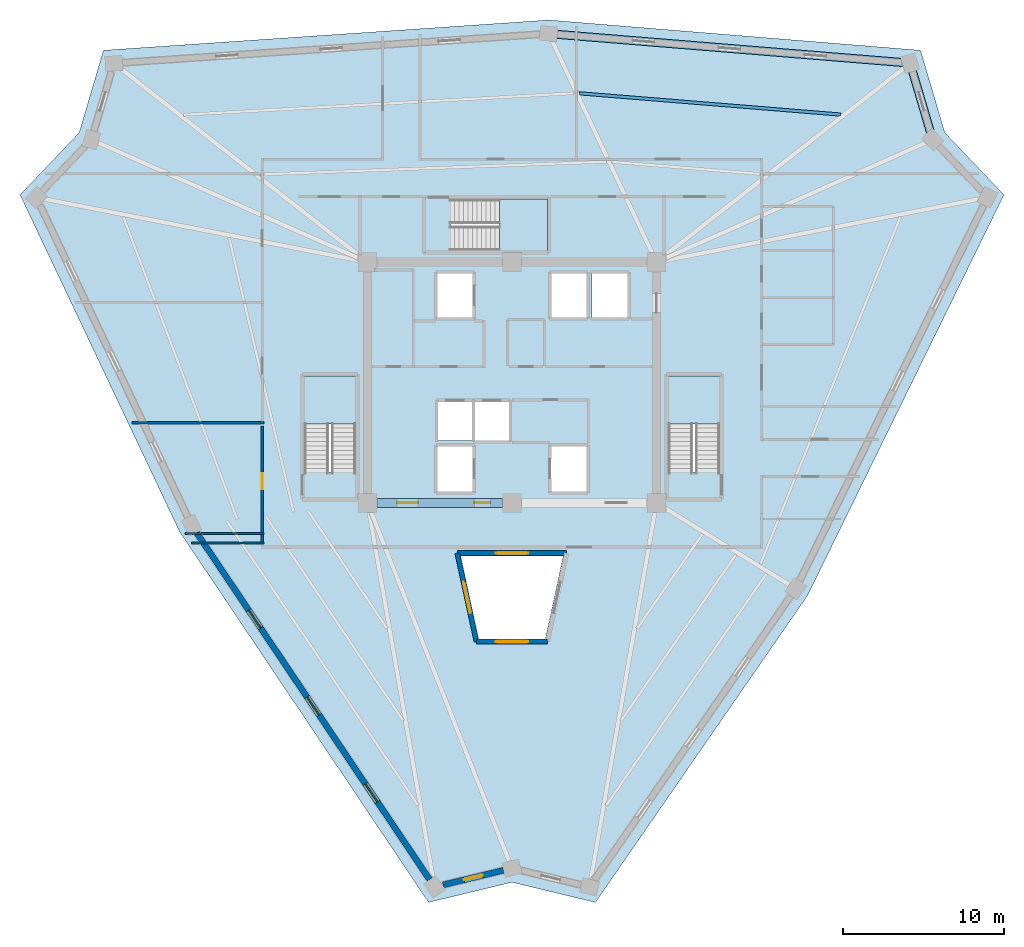
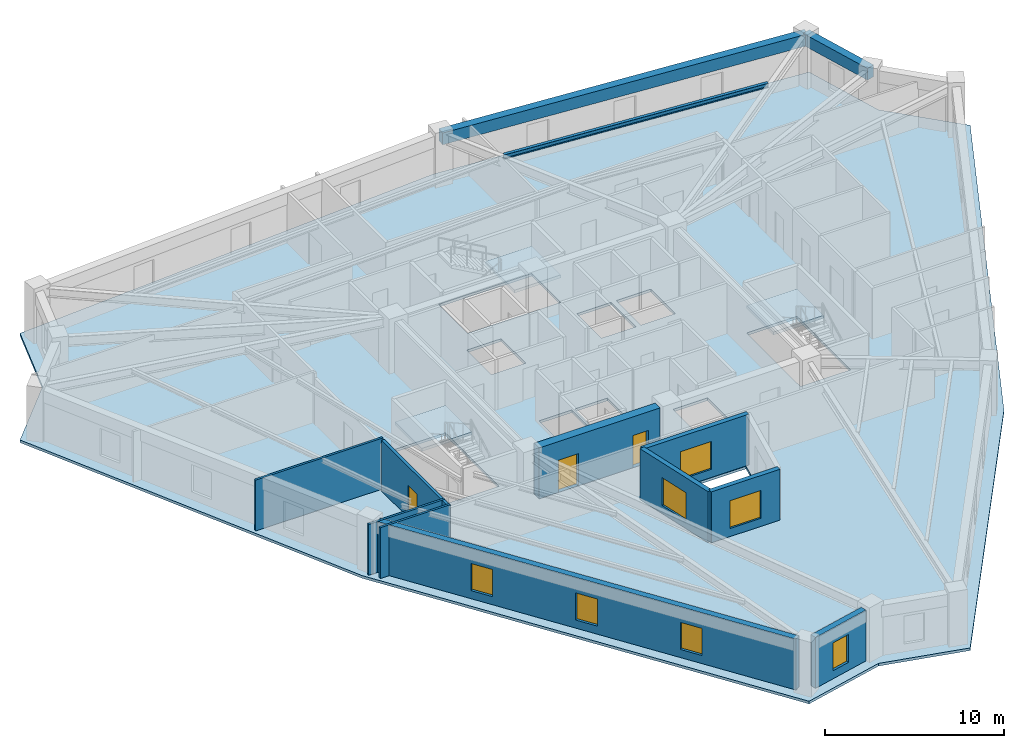
# One storey, part 2 of 8: 10 walls, 7 windows, 4 slabs, 3 beams, 3 doors, 10 openings, 3 elements without a shape of their own.
"""IFC4 building model written with IfcOpenShell, lengths in metres."""

from ifc_helpers import new_model, si_unit, direction, frame, frame_2d, origin, origin_2d, place, context, subcontext, project, spatial, polyline, rectangle, i_section, outline, extrude, source, transform, mapped, material, layer, layer_set, material_profile, profile_set, type_object, element, fill, aggregate, save


model = new_model("IFC4")

# Units and contexts
model_context = context("Model", 3, precision=1e-05, world=origin(), true_north=direction((0.0, 1.0)))
body_context = subcontext(model_context, "Body", "Model", "MODEL_VIEW")
ifc_project = project(units=[si_unit("LENGTHUNIT", "METRE"), si_unit("AREAUNIT", "SQUARE_METRE"), si_unit("VOLUMEUNIT", "CUBIC_METRE"), si_unit("PLANEANGLEUNIT", "RADIAN"), si_unit("MASSUNIT", "GRAM", prefix="KILO")], contexts=[model_context])

# Site, building, storey
site_placement = place(None, origin())
site = spatial("IfcSite", under=ifc_project, at=site_placement, CompositionType="ELEMENT")
building_placement = place(site_placement, origin())
building = spatial("IfcBuilding", under=site, at=building_placement, Name="Liaohun Quay Tower", CompositionType="ELEMENT")
storey_placement = place(building_placement, frame((0.0, 0.0, 320.25)))
storey = spatial("IfcBuildingStorey", under=building, at=storey_placement, Name="L83", CompositionType="ELEMENT", Elevation=320.25)

# Beams
ifc_material_1 = material(Name="Steel Q355D", Category="steel")
ifc_material_profile_1 = material_profile(ifc_material_1, i_section(OverallWidth=0.199951171875, OverallDepth=0.2939453125, WebThickness=0.008056640625, FlangeThickness=0.011962890625, at=origin_2d()), Name="HM294x200x8x12")
ifc_profile_set_1 = profile_set([ifc_material_profile_1], Name="Steel Q355D")
beam_type_1 = type_object("IfcBeamType", Name="BM-SEC-J4", PredefinedType="JOIST", material=ifc_profile_set_1)
shared_shape_1 = source(origin(), body_context, "Body", "SweptSolid", [
    extrude(i_section(OverallWidth=0.199951171875, OverallDepth=0.2939453125, WebThickness=0.008056640625, FlangeThickness=0.011962890625, at=origin_2d()), origin(), (0.0, 0.0, 1.0), 16.3271484375),
])
beam_1_placement = place(storey_placement, frame((64.202880859375, 72.01904296875, 3.322998046875), z_axis=(0.996697002247, -0.081210133061, 0.0), x_axis=(0.081210133061, 0.996697002247, 0.0)))
element("IfcBeam", 1, at=beam_1_placement, inside=storey, type_object=beam_type_1, Name="L83 Wing Secondary Floor Joist SJ-09", PredefinedType="JOIST", context=body_context, shape_type="MappedRepresentation", body=[
    mapped(shared_shape_1, transform((0.0, 0.0, 0.0), x_axis=(1.0, 0.0, 0.0), y_axis=(0.0, 1.0, 0.0), z_axis=(0.0, 0.0, 1.0), scale=1.0)),
])
ifc_material_2 = material(Name="Precast concrete C50", Category="concrete")
ifc_material_profile_2 = material_profile(ifc_material_2, rectangle(XDim=0.5, YDim=0.800048828125, at=origin_2d()), Name="RC500x800")
ifc_profile_set_2 = profile_set([ifc_material_profile_2], Name="Precast concrete C50")
beam_type_2 = type_object("IfcBeamType", Name="BM-SPD-Z4", PredefinedType="SPANDREL", material=ifc_profile_set_2)
shared_shape_2 = source(origin(), body_context, "Body", "SweptSolid", [
    extrude(rectangle(XDim=0.5, YDim=0.800048828125, at=origin_2d()), origin(), (0.0, 0.0, 1.0), 22.5947265625),
])
beam_2_placement = place(storey_placement, frame((62.284912109375, 75.73388671875, 3.070068359375), z_axis=(0.996696835894, -0.081212174699, 0.0), x_axis=(0.081212174699, 0.996696835894, 0.0)))
element("IfcBeam", 2, at=beam_2_placement, inside=storey, type_object=beam_type_2, Name="L83 Precast Spandrel Beam PC06-PC07", PredefinedType="SPANDREL", context=body_context, shape_type="MappedRepresentation", body=[
    mapped(shared_shape_2, transform((0.0, 0.0, 0.0), x_axis=(1.0, 0.0, 0.0), y_axis=(0.0, 1.0, 0.0), z_axis=(0.0, 0.0, 1.0), scale=1.0)),
])
shared_shape_3 = source(origin(), body_context, "Body", "SweptSolid", [
    extrude(rectangle(XDim=0.5, YDim=0.800048828125, at=origin_2d()), origin(), (0.0, 0.0, 1.0), 4.969482421875),
])
beam_3_placement = place(storey_placement, frame((84.804931640625, 73.89892578125, 3.070068359375), z_axis=(0.282724819894, -0.959201061413, 0.0), x_axis=(0.959201061413, 0.282724819894, 0.0)))
element("IfcBeam", 3, at=beam_3_placement, inside=storey, type_object=beam_type_2, Name="L83 Precast Spandrel Beam PC07-PC08", PredefinedType="SPANDREL", context=body_context, shape_type="MappedRepresentation", body=[
    mapped(shared_shape_3, transform((0.0, 0.0, 0.0), x_axis=(1.0, 0.0, 0.0), y_axis=(0.0, 1.0, 0.0), z_axis=(0.0, 0.0, 1.0), scale=1.0)),
])

# Stair, slab
ifc_material_3 = material(Name="Concrete C45", Category="concrete")
stair_type = type_object("IfcStairType", Name="STR-CORE-OFF", PredefinedType="HALF_TURN_STAIR", material=ifc_material_3)
stair_1_placement = place(storey_placement, origin())
stair_1 = element("IfcStair", 4, at=stair_1_placement, inside=storey, type_object=stair_type, Name="L83 Smokeproof Core Exit Stair ST-1", PredefinedType="HALF_TURN_STAIR")
ifc_layer_1 = layer(ifc_material_3, 0.199951171875, Name="Concrete C45", Category="concrete")
ifc_layer_set_1 = layer_set([ifc_layer_1], Name="Concrete C45")
slab_type_1 = type_object("IfcSlabType", Name="SLB-LND-200", PredefinedType="LANDING", material=ifc_layer_set_1)
slab_1_placement = place(storey_placement, frame((0.0, 0.0, 1.675048828125)))
slab_1 = element("IfcSlab", 5, at=slab_1_placement, type_object=slab_type_1, Name="ST-1 landing 1", PredefinedType="LANDING", context=body_context, shape_type="SweptSolid", body=[
    extrude(outline(polyline([(50.280029296875, 51.429931640625), (50.280029296875, 54.419921875), (47.0400390625, 54.419921875), (47.0400390625, 51.429931640625), (50.280029296875, 51.429931640625)])), origin(), (0.0, 0.0, 1.0), 0.199951171875),
])
aggregate(stair_1, [slab_1])

stair_2_placement = place(storey_placement, origin())
stair_2 = element("IfcStair", 6, at=stair_2_placement, inside=storey, type_object=stair_type, Name="L83 Smokeproof Core Exit Stair ST-2", PredefinedType="HALF_TURN_STAIR")
slab_2_placement = place(storey_placement, frame((0.0, 0.0, 1.675048828125)))
slab_2 = element("IfcSlab", 7, at=slab_2_placement, type_object=slab_type_1, Name="ST-2 landing 1", PredefinedType="LANDING", context=body_context, shape_type="SweptSolid", body=[
    extrude(outline(polyline([(72.9599609375, 51.429931640625), (72.9599609375, 54.419921875), (69.719970703125, 54.419921875), (69.719970703125, 51.429931640625), (72.9599609375, 51.429931640625)])), origin(), (0.0, 0.0, 1.0), 0.199951171875),
])
aggregate(stair_2, [slab_2])

stair_3_placement = place(storey_placement, origin())
stair_3 = element("IfcStair", 8, at=stair_3_placement, inside=storey, type_object=stair_type, Name="L83 Smokeproof Core Exit Stair ST-3", PredefinedType="HALF_TURN_STAIR")
slab_3_placement = place(storey_placement, frame((0.0, 0.0, 1.675048828125)))
slab_3 = element("IfcSlab", 9, at=slab_3_placement, type_object=slab_type_1, Name="ST-3 landing 1", PredefinedType="LANDING", context=body_context, shape_type="SweptSolid", body=[
    extrude(outline(polyline([(59.22998046875, 62.199951171875), (62.219970703125, 62.199951171875), (62.219970703125, 65.43994140625), (59.22998046875, 65.43994140625), (59.22998046875, 62.199951171875)])), origin(), (0.0, 0.0, 1.0), 0.199951171875),
])
aggregate(stair_3, [slab_3])

# Slab
ifc_layer_2 = layer(ifc_material_3, 0.179931640625, Name="Concrete C45", Category="concrete")
ifc_layer_set_2 = layer_set([ifc_layer_2], Name="Concrete C45")
slab_type_2 = type_object("IfcSlabType", Name="SLB-OFF-180", PredefinedType="FLOOR", material=ifc_layer_set_2)
slab_4_placement = place(storey_placement, frame((0.0, 0.0, -0.179931640625)))
element("IfcSlab", 10, at=slab_4_placement, inside=storey, type_object=slab_type_2, Name="L83 Structural Floor Slab", PredefinedType="FLOOR", context=body_context, shape_type="SweptSolid", body=[
    extrude(outline(polyline([(54.801025390625, 21.60595703125), (60.0, 22.861083984375), (65.198974609375, 21.60595703125), (78.4150390625, 40.722900390625), (90.654052734375, 65.695068359375), (86.967041015625, 69.569091796875), (85.455078125, 74.698974609375), (62.291015625, 76.5859375), (34.544921875, 74.698974609375), (33.032958984375, 69.569091796875), (29.345947265625, 65.695068359375), (39.2939453125, 44.69091796875), (54.801025390625, 21.60595703125)]), holes=[polyline([(57.56005859375, 50.030029296875), (55.340087890625, 50.030029296875), (55.340087890625, 47.2099609375), (57.56005859375, 47.2099609375), (57.56005859375, 50.030029296875)]), polyline([(47.0400390625, 54.419921875), (47.0400390625, 48.409912109375), (50.280029296875, 48.409912109375), (50.280029296875, 54.419921875), (47.0400390625, 54.419921875)]), polyline([(57.510009765625, 52.81005859375), (55.389892578125, 52.81005859375), (55.389892578125, 50.389892578125), (57.510009765625, 50.389892578125), (57.510009765625, 52.81005859375)]), polyline([(59.81005859375, 50.389892578125), (59.81005859375, 52.81005859375), (57.68994140625, 52.81005859375), (57.68994140625, 50.389892578125), (59.81005859375, 50.389892578125)]), polyline([(57.56005859375, 58.0400390625), (57.56005859375, 60.7900390625), (55.340087890625, 60.7900390625), (55.340087890625, 58.0400390625), (57.56005859375, 58.0400390625)]), polyline([(62.219970703125, 65.43994140625), (56.2099609375, 65.43994140625), (56.2099609375, 62.199951171875), (62.219970703125, 62.199951171875), (62.219970703125, 65.43994140625)]), polyline([(62.076904296875, 38.02490234375), (63.196044921875, 43.199951171875), (56.803955078125, 43.199951171875), (57.923095703125, 38.02490234375), (62.076904296875, 38.02490234375)]), polyline([(64.659912109375, 47.2099609375), (64.659912109375, 50.030029296875), (62.43994140625, 50.030029296875), (62.43994140625, 47.2099609375), (64.659912109375, 47.2099609375)]), polyline([(69.719970703125, 54.419921875), (69.719970703125, 48.409912109375), (72.9599609375, 48.409912109375), (72.9599609375, 54.419921875), (69.719970703125, 54.419921875)]), polyline([(64.659912109375, 58.0400390625), (64.659912109375, 60.7900390625), (62.43994140625, 60.7900390625), (62.43994140625, 58.0400390625), (64.659912109375, 58.0400390625)]), polyline([(67.2099609375, 58.0400390625), (67.2099609375, 60.7900390625), (64.989990234375, 60.7900390625), (64.989990234375, 58.0400390625), (67.2099609375, 58.0400390625)])]), origin(), (0.0, 0.0, 1.0), 0.179931640625),
])

# Wall, opening, window
ifc_material_4 = material(Name="Concrete C50", Category="concrete")
ifc_layer_3 = layer(ifc_material_4, 0.300048828125, Name="Concrete C50", Category="concrete")
ifc_layer_set_3 = layer_set([ifc_layer_3], Name="Concrete C50")
wall_type_1 = type_object("IfcWallType", Name="WAL-ATR-300", PredefinedType="SOLIDWALL", material=ifc_layer_set_3)
wall_1_placement = place(storey_placement, frame((57.785888671875, 37.85498046875, 0.0), z_axis=(0.0, 0.0, 1.0), x_axis=(-0.211402055263, 0.977399187144, 0.0)))
wall_1 = element("IfcWall", 11, at=wall_1_placement, inside=storey, type_object=wall_type_1, Name="L83 Atrium Fire Compartment Wall 1", PredefinedType="SOLIDWALL", context=body_context, shape_type="SweptSolid", body=[
    extrude(rectangle(XDim=5.642578125, YDim=0.300048828125, at=frame_2d((2.8212890625, 0.0))), origin(), (0.0, 0.0, 1.0), 3.469970703125),
])
shared_shape_4 = source(origin(), body_context, "Body", "SweptSolid", [
    extrude(rectangle(XDim=2.0, YDim=1.89990234375, at=frame_2d((1.0, 0.949951171875))), frame((0.0, 0.159912109375, 0.0), z_axis=(0.0, -1.0, 0.0), x_axis=(1.0, 0.0, 0.0)), (0.0, 0.0, 1.0), 0.320068359375),
])
opening_1_placement = place(wall_1_placement, frame((1.821044921875, 0.0, 0.550048828125)))
opening_1 = element("IfcOpeningElement", 12, at=opening_1_placement, cuts=wall_1, Name="Opening W07", PredefinedType="OPENING", context=body_context, shape_type="MappedRepresentation", body=[
    mapped(shared_shape_4, transform((0.0, 0.0, 0.0), x_axis=(1.0, 0.0, 0.0), y_axis=(0.0, 1.0, 0.0), z_axis=(0.0, 0.0, 1.0), scale=1.0)),
])
ifc_material_5 = material(Name="Class A 180-min fire-resistant insulated glazing", Category="glass")
window_type_1 = type_object("IfcWindowType", Name="WIN-ATR-FIR", PartitioningType="DOUBLE_PANEL_VERTICAL", PredefinedType="WINDOW", material=ifc_material_5)
shared_shape_5 = source(origin(), body_context, "Body", "SweptSolid", [
    extrude(rectangle(XDim=2.0, YDim=1.89990234375, at=frame_2d((1.0, 0.949951171875))), frame((0.0, 0.030029296875, 0.0), z_axis=(0.0, -1.0, 0.0), x_axis=(1.0, 0.0, 0.0)), (0.0, 0.0, 1.0), 0.06005859375),
])
window_1_placement = place(opening_1_placement, origin())
window_1 = element("IfcWindow", 13, at=window_1_placement, inside=storey, type_object=window_type_1, Name="L83 Atrium Fire-Resistant Glazing W07-1", OverallHeight=1.89990234375, OverallWidth=2.0, PartitioningType="DOUBLE_PANEL_VERTICAL", PredefinedType="WINDOW", context=body_context, shape_type="MappedRepresentation", body=[
    mapped(shared_shape_5, transform((0.0, 0.0, 0.0), x_axis=(1.0, 0.0, 0.0), y_axis=(0.0, 1.0, 0.0), z_axis=(0.0, 0.0, 1.0), scale=1.0)),
])
fill(opening_1, window_1)

wall_2_placement = place(storey_placement, frame((56.593017578125, 43.3701171875, 0.0), z_axis=(0.0, 0.0, 1.0), x_axis=(1.0, 0.0, 0.0)))
wall_2 = element("IfcWall", 14, at=wall_2_placement, inside=storey, type_object=wall_type_1, Name="L83 Atrium Fire Compartment Wall 2", PredefinedType="SOLIDWALL", context=body_context, shape_type="SweptSolid", body=[
    extrude(rectangle(XDim=6.81396484375, YDim=0.300048828125, at=frame_2d((3.406982421875, 0.0))), origin(), (0.0, 0.0, 1.0), 3.469970703125),
])
opening_2_placement = place(wall_2_placement, frame((2.406982421875, 0.0, 0.550048828125)))
opening_2 = element("IfcOpeningElement", 15, at=opening_2_placement, cuts=wall_2, Name="Opening W07", PredefinedType="OPENING", context=body_context, shape_type="MappedRepresentation", body=[
    mapped(shared_shape_4, transform((0.0, 0.0, 0.0), x_axis=(1.0, 0.0, 0.0), y_axis=(0.0, 1.0, 0.0), z_axis=(0.0, 0.0, 1.0), scale=1.0)),
])
window_2_placement = place(opening_2_placement, origin())
window_2 = element("IfcWindow", 16, at=window_2_placement, inside=storey, type_object=window_type_1, Name="L83 Atrium Fire-Resistant Glazing W07-2", OverallHeight=1.89990234375, OverallWidth=2.0, PartitioningType="DOUBLE_PANEL_VERTICAL", PredefinedType="WINDOW", context=body_context, shape_type="MappedRepresentation", body=[
    mapped(shared_shape_5, transform((0.0, 0.0, 0.0), x_axis=(1.0, 0.0, 0.0), y_axis=(0.0, 1.0, 0.0), z_axis=(0.0, 0.0, 1.0), scale=1.0)),
])
fill(opening_2, window_2)

wall_3_placement = place(storey_placement, frame((62.214111328125, 37.85498046875, 0.0), z_axis=(0.0, 0.0, 1.0), x_axis=(-1.0, 0.0, 0.0)))
wall_3 = element("IfcWall", 17, at=wall_3_placement, inside=storey, type_object=wall_type_1, Name="L83 Atrium Fire Compartment Wall 4", PredefinedType="SOLIDWALL", context=body_context, shape_type="SweptSolid", body=[
    extrude(rectangle(XDim=4.42822265625, YDim=0.300048828125, at=frame_2d((2.214111328125, 0.0))), origin(), (0.0, 0.0, 1.0), 3.469970703125),
])
opening_3_placement = place(wall_3_placement, frame((1.214111328125, 0.0, 0.550048828125)))
opening_3 = element("IfcOpeningElement", 18, at=opening_3_placement, cuts=wall_3, Name="Opening W07", PredefinedType="OPENING", context=body_context, shape_type="MappedRepresentation", body=[
    mapped(shared_shape_4, transform((0.0, 0.0, 0.0), x_axis=(1.0, 0.0, 0.0), y_axis=(0.0, 1.0, 0.0), z_axis=(0.0, 0.0, 1.0), scale=1.0)),
])
window_3_placement = place(opening_3_placement, origin())
window_3 = element("IfcWindow", 19, at=window_3_placement, inside=storey, type_object=window_type_1, Name="L83 Atrium Fire-Resistant Glazing W07-4", OverallHeight=1.89990234375, OverallWidth=2.0, PartitioningType="DOUBLE_PANEL_VERTICAL", PredefinedType="WINDOW", context=body_context, shape_type="MappedRepresentation", body=[
    mapped(shared_shape_5, transform((0.0, 0.0, 0.0), x_axis=(1.0, 0.0, 0.0), y_axis=(0.0, 1.0, 0.0), z_axis=(0.0, 0.0, 1.0), scale=1.0)),
])
fill(opening_3, window_3)

# Wall, openings, doors
ifc_layer_4 = layer(ifc_material_4, 0.550048828125, Name="Concrete C50", Category="concrete")
ifc_layer_set_4 = layer_set([ifc_layer_4], Name="Concrete C50")
wall_type_2 = type_object("IfcWallType", Name="WAL-COR-Z4", PredefinedType="SHEAR", material=ifc_layer_set_4)
wall_4_placement = place(storey_placement, frame((59.39990234375, 46.5, 0.0), z_axis=(0.0, 0.0, 1.0), x_axis=(-1.0, 0.0, 0.0)))
wall_4 = element("IfcWall", 20, at=wall_4_placement, inside=storey, type_object=wall_type_2, Name="L83 Central Core Shear Wall S-W", PredefinedType="SHEAR", context=body_context, shape_type="SweptSolid", body=[
    extrude(rectangle(XDim=7.7998046875, YDim=0.550048828125, at=frame_2d((3.89990234375, 0.0))), origin(), (0.0, 0.0, 1.0), 3.469970703125),
])
shared_shape_6 = source(origin(), body_context, "Body", "SweptSolid", [
    extrude(rectangle(XDim=1.300048828125, YDim=2.199951171875, at=frame_2d((0.64990234375, 1.10009765625))), frame((0.0, 0.284912109375, 0.0), z_axis=(0.0, -1.0, 0.0), x_axis=(1.0, 0.0, 0.0)), (0.0, 0.0, 1.0), 0.570068359375),
])
opening_4_placement = place(wall_4_placement, frame((5.25, 0.0, 0.0)))
opening_4 = element("IfcOpeningElement", 21, at=opening_4_placement, cuts=wall_4, Name="Opening FD1", PredefinedType="OPENING", context=body_context, shape_type="MappedRepresentation", body=[
    mapped(shared_shape_6, transform((0.0, 0.0, 0.0), x_axis=(1.0, 0.0, 0.0), y_axis=(0.0, 1.0, 0.0), z_axis=(0.0, 0.0, 1.0), scale=1.0)),
])
shared_shape_7 = source(origin(), body_context, "Body", "SweptSolid", [
    extrude(rectangle(XDim=1.0, YDim=2.199951171875, at=frame_2d((0.5, 1.10009765625))), frame((0.0, 0.284912109375, 0.0), z_axis=(0.0, -1.0, 0.0), x_axis=(1.0, 0.0, 0.0)), (0.0, 0.0, 1.0), 0.570068359375),
])
opening_5_placement = place(wall_4_placement, frame((0.75, 0.0, 0.0)))
opening_5 = element("IfcOpeningElement", 22, at=opening_5_placement, cuts=wall_4, Name="Opening FD2", PredefinedType="OPENING", context=body_context, shape_type="MappedRepresentation", body=[
    mapped(shared_shape_7, transform((0.0, 0.0, 0.0), x_axis=(1.0, 0.0, 0.0), y_axis=(0.0, 1.0, 0.0), z_axis=(0.0, 0.0, 1.0), scale=1.0)),
])
ifc_material_6 = material(Name="Galvanised steel smokeproof fire door", Category="steel")
door_type_1 = type_object("IfcDoorType", Name="DOR-FFL-1300", OperationType="NOTDEFINED", PredefinedType="DOOR", material=ifc_material_6)
shared_shape_8 = source(origin(), body_context, "Body", "SweptSolid", [
    extrude(rectangle(XDim=1.300048828125, YDim=2.199951171875, at=frame_2d((0.64990234375, 1.10009765625))), frame((0.0, 0.02490234375, 0.0), z_axis=(0.0, -1.0, 0.0), x_axis=(1.0, 0.0, 0.0)), (0.0, 0.0, 1.0), 0.050048828125),
])
door_1_placement = place(opening_4_placement, origin())
door_1 = element("IfcDoor", 23, at=door_1_placement, inside=storey, type_object=door_type_1, Name="L83 West Core Lift Lobby Smokeproof Door", OperationType="SINGLE_SWING_RIGHT", OverallHeight=2.199951171875, OverallWidth=1.300048828125, PredefinedType="DOOR", context=body_context, shape_type="MappedRepresentation", body=[
    mapped(shared_shape_8, transform((0.0, 0.0, 0.0), x_axis=(1.0, 0.0, 0.0), y_axis=(0.0, 1.0, 0.0), z_axis=(0.0, 0.0, 1.0), scale=1.0)),
])
fill(opening_4, door_1)
ifc_material_7 = material(Name="Galvanised steel smokeproof lobby fire door", Category="steel")
door_type_2 = type_object("IfcDoorType", Name="DOR-FFL-1000", OperationType="NOTDEFINED", PredefinedType="DOOR", material=ifc_material_7)
shared_shape_9 = source(origin(), body_context, "Body", "SweptSolid", [
    extrude(rectangle(XDim=1.0, YDim=2.199951171875, at=frame_2d((0.5, 1.10009765625))), frame((0.0, 0.02490234375, 0.0), z_axis=(0.0, -1.0, 0.0), x_axis=(1.0, 0.0, 0.0)), (0.0, 0.0, 1.0), 0.050048828125),
])
door_2_placement = place(opening_5_placement, origin())
door_2 = element("IfcDoor", 24, at=door_2_placement, inside=storey, type_object=door_type_2, Name="L83 South Firefighting Lobby Smokeproof Door", OperationType="SINGLE_SWING_LEFT", OverallHeight=2.199951171875, OverallWidth=1.0, PredefinedType="DOOR", context=body_context, shape_type="MappedRepresentation", body=[
    mapped(shared_shape_9, transform((0.0, 0.0, 0.0), x_axis=(1.0, 0.0, 0.0), y_axis=(0.0, 1.0, 0.0), z_axis=(0.0, 0.0, 1.0), scale=1.0)),
])
fill(opening_5, door_2)

# Wall, openings, windows
ifc_material_8 = material(Name="Precast concrete C50 insulated sandwich", Category="concrete")
ifc_layer_5 = layer(ifc_material_8, 0.3798828125, Name="Precast concrete C50 insulated sandwich", Category="concrete")
ifc_layer_set_5 = layer_set([ifc_layer_5], Name="Precast concrete C50 insulated sandwich")
wall_type_3 = type_object("IfcWallType", Name="WAL-EXT-Z34", PredefinedType="SOLIDWALL", material=ifc_layer_set_5)
wall_5_placement = place(storey_placement, frame((40.3359375, 44.6640625, 0.0), z_axis=(0.0, 0.0, 1.0), x_axis=(0.557618008266, -0.830097679106, 0.0)))
wall_5 = element("IfcWall", 25, at=wall_5_placement, inside=storey, type_object=wall_type_3, Name="L83 Brutalist Precast Pier Wall 11", PredefinedType="SOLIDWALL", context=body_context, shape_type="SweptSolid", body=[
    extrude(rectangle(XDim=26.0751953125, YDim=0.3798828125, at=frame_2d((13.03759765625, 0.0))), origin(), (0.0, 0.0, 1.0), 3.469970703125),
])
shared_shape_10 = source(origin(), body_context, "Body", "SweptSolid", [
    extrude(rectangle(XDim=1.35009765625, YDim=1.85009765625, at=frame_2d((0.675048828125, 0.925048828125))), frame((0.0, 0.199951171875, 0.0), z_axis=(0.0, -1.0, 0.0), x_axis=(1.0, 0.0, 0.0)), (0.0, 0.0, 1.0), 0.39990234375),
])
opening_6_placement = place(wall_5_placement, frame((5.843994140625, 0.0, 0.550048828125)))
opening_6 = element("IfcOpeningElement", 26, at=opening_6_placement, cuts=wall_5, Name="Opening W04", PredefinedType="OPENING", context=body_context, shape_type="MappedRepresentation", body=[
    mapped(shared_shape_10, transform((0.0, 0.0, 0.0), x_axis=(1.0, 0.0, 0.0), y_axis=(0.0, 1.0, 0.0), z_axis=(0.0, 0.0, 1.0), scale=1.0)),
])
opening_7_placement = place(wall_5_placement, frame((12.363037109375, 0.0, 0.550048828125)))
opening_7 = element("IfcOpeningElement", 27, at=opening_7_placement, cuts=wall_5, Name="Opening W04", PredefinedType="OPENING", context=body_context, shape_type="MappedRepresentation", body=[
    mapped(shared_shape_10, transform((0.0, 0.0, 0.0), x_axis=(1.0, 0.0, 0.0), y_axis=(0.0, 1.0, 0.0), z_axis=(0.0, 0.0, 1.0), scale=1.0)),
])
opening_8_placement = place(wall_5_placement, frame((18.881103515625, 0.0, 0.550048828125)))
opening_8 = element("IfcOpeningElement", 28, at=opening_8_placement, cuts=wall_5, Name="Opening W04", PredefinedType="OPENING", context=body_context, shape_type="MappedRepresentation", body=[
    mapped(shared_shape_10, transform((0.0, 0.0, 0.0), x_axis=(1.0, 0.0, 0.0), y_axis=(0.0, 1.0, 0.0), z_axis=(0.0, 0.0, 1.0), scale=1.0)),
])
ifc_material_9 = material(Name="Triple Low-E argon glazing in thermally broken aluminium", Category="aluminium")
window_type_2 = type_object("IfcWindowType", Name="WIN-PUN-Z4", PartitioningType="SINGLE_PANEL", PredefinedType="WINDOW", material=ifc_material_9)
shared_shape_11 = source(origin(), body_context, "Body", "SweptSolid", [
    extrude(rectangle(XDim=1.35009765625, YDim=1.85009765625, at=frame_2d((0.675048828125, 0.925048828125))), frame((0.0, 0.030029296875, 0.0), z_axis=(0.0, -1.0, 0.0), x_axis=(1.0, 0.0, 0.0)), (0.0, 0.0, 1.0), 0.06005859375),
])
window_4_placement = place(opening_6_placement, origin())
window_4 = element("IfcWindow", 29, at=window_4_placement, inside=storey, type_object=window_type_2, Name="L83 Recessed Cold-Climate Punched Window 11-1", OverallHeight=1.85009765625, OverallWidth=1.35009765625, PartitioningType="SINGLE_PANEL", PredefinedType="WINDOW", context=body_context, shape_type="MappedRepresentation", body=[
    mapped(shared_shape_11, transform((0.0, 0.0, 0.0), x_axis=(1.0, 0.0, 0.0), y_axis=(0.0, 1.0, 0.0), z_axis=(0.0, 0.0, 1.0), scale=1.0)),
])
fill(opening_6, window_4)
window_5_placement = place(opening_7_placement, origin())
window_5 = element("IfcWindow", 30, at=window_5_placement, inside=storey, type_object=window_type_2, Name="L83 Recessed Cold-Climate Punched Window 11-2", OverallHeight=1.85009765625, OverallWidth=1.35009765625, PartitioningType="SINGLE_PANEL", PredefinedType="WINDOW", context=body_context, shape_type="MappedRepresentation", body=[
    mapped(shared_shape_11, transform((0.0, 0.0, 0.0), x_axis=(1.0, 0.0, 0.0), y_axis=(0.0, 1.0, 0.0), z_axis=(0.0, 0.0, 1.0), scale=1.0)),
])
fill(opening_7, window_5)
window_6_placement = place(opening_8_placement, origin())
window_6 = element("IfcWindow", 31, at=window_6_placement, inside=storey, type_object=window_type_2, Name="L83 Recessed Cold-Climate Punched Window 11-3", OverallHeight=1.85009765625, OverallWidth=1.35009765625, PartitioningType="SINGLE_PANEL", PredefinedType="WINDOW", context=body_context, shape_type="MappedRepresentation", body=[
    mapped(shared_shape_11, transform((0.0, 0.0, 0.0), x_axis=(1.0, 0.0, 0.0), y_axis=(0.0, 1.0, 0.0), z_axis=(0.0, 0.0, 1.0), scale=1.0)),
])
fill(opening_8, window_6)

# Wall, opening, window
wall_6_placement = place(storey_placement, frame((55.701904296875, 22.697998046875, 0.0), z_axis=(0.0, 0.0, 1.0), x_axis=(0.972132648124, 0.234431470693, 0.0)))
wall_6 = element("IfcWall", 32, at=wall_6_placement, inside=storey, type_object=wall_type_3, Name="L83 Brutalist Precast Pier Wall 12", PredefinedType="SOLIDWALL", context=body_context, shape_type="SweptSolid", body=[
    extrude(rectangle(XDim=3.88134765625, YDim=0.3798828125, at=frame_2d((1.940673828125, 0.0))), origin(), (0.0, 0.0, 1.0), 3.469970703125),
])
shared_shape_12 = source(origin(), body_context, "Body", "SweptSolid", [
    extrude(rectangle(XDim=1.199951171875, YDim=1.89990234375, at=frame_2d((0.60009765625, 0.949951171875))), frame((0.0, 0.199951171875, 0.0), z_axis=(0.0, -1.0, 0.0), x_axis=(1.0, 0.0, 0.0)), (0.0, 0.0, 1.0), 0.39990234375),
])
opening_9_placement = place(wall_6_placement, frame((1.341064453125, 0.0, 0.550048828125)))
opening_9 = element("IfcOpeningElement", 33, at=opening_9_placement, cuts=wall_6, Name="Opening W05", PredefinedType="OPENING", context=body_context, shape_type="MappedRepresentation", body=[
    mapped(shared_shape_12, transform((0.0, 0.0, 0.0), x_axis=(1.0, 0.0, 0.0), y_axis=(0.0, 1.0, 0.0), z_axis=(0.0, 0.0, 1.0), scale=1.0)),
])
ifc_material_10 = material(Name="Triple Low-E corner notch glazing", Category="glass")
window_type_3 = type_object("IfcWindowType", Name="WIN-NOTCH", PartitioningType="SINGLE_PANEL", PredefinedType="WINDOW", material=ifc_material_10)
shared_shape_13 = source(origin(), body_context, "Body", "SweptSolid", [
    extrude(rectangle(XDim=1.199951171875, YDim=1.89990234375, at=frame_2d((0.60009765625, 0.949951171875))), frame((0.0, 0.030029296875, 0.0), z_axis=(0.0, -1.0, 0.0), x_axis=(1.0, 0.0, 0.0)), (0.0, 0.0, 1.0), 0.06005859375),
])
window_7_placement = place(opening_9_placement, origin())
window_7 = element("IfcWindow", 34, at=window_7_placement, inside=storey, type_object=window_type_3, Name="L83 Corner Notch Window W05-12", OverallHeight=1.89990234375, OverallWidth=1.199951171875, PartitioningType="SINGLE_PANEL", PredefinedType="WINDOW", context=body_context, shape_type="MappedRepresentation", body=[
    mapped(shared_shape_13, transform((0.0, 0.0, 0.0), x_axis=(1.0, 0.0, 0.0), y_axis=(0.0, 1.0, 0.0), z_axis=(0.0, 0.0, 1.0), scale=1.0)),
])
fill(opening_9, window_7)

# Wall, opening, door
ifc_material_11 = material(Name="Autoclaved aerated concrete blockwork", Category="masonry")
ifc_layer_6 = layer(ifc_material_11, 0.179931640625, Name="Autoclaved aerated concrete blockwork", Category="masonry")
ifc_layer_set_6 = layer_set([ifc_layer_6], Name="Autoclaved aerated concrete blockwork")
wall_type_4 = type_object("IfcWallType", Name="WAL-PRT-COR", PredefinedType="PARTITIONING", material=ifc_layer_set_6)
wall_7_placement = place(storey_placement, frame((44.43994140625, 44.070068359375, 0.0), z_axis=(0.0, 0.0, 1.0), x_axis=(0.0, 1.0, 0.0)))
wall_7 = element("IfcWall", 35, at=wall_7_placement, inside=storey, type_object=wall_type_4, Name="L83 Interior Partition Wall 019", PredefinedType="PARTITIONING", context=body_context, shape_type="SweptSolid", body=[
    extrude(rectangle(XDim=7.21484375, YDim=0.179931640625, at=frame_2d((3.607421875, 0.0))), origin(), (0.0, 0.0, 1.0), 3.469970703125),
])
shared_shape_14 = source(origin(), body_context, "Body", "SweptSolid", [
    extrude(rectangle(XDim=1.0, YDim=2.199951171875, at=frame_2d((0.5, 1.10009765625))), frame((0.0, 0.099853515625, 0.0), z_axis=(0.0, -1.0, 0.0), x_axis=(1.0, 0.0, 0.0)), (0.0, 0.0, 1.0), 0.199951171875),
])
opening_10_placement = place(wall_7_placement, frame((3.264892578125, 0.0, 0.0)))
opening_10 = element("IfcOpeningElement", 36, at=opening_10_placement, cuts=wall_7, Name="Opening OD1", PredefinedType="OPENING", context=body_context, shape_type="MappedRepresentation", body=[
    mapped(shared_shape_14, transform((0.0, 0.0, 0.0), x_axis=(1.0, 0.0, 0.0), y_axis=(0.0, 1.0, 0.0), z_axis=(0.0, 0.0, 1.0), scale=1.0)),
])
ifc_material_12 = material(Name="Solid-core oak veneer timber leaf in steel frame", Category="steel")
door_type_3 = type_object("IfcDoorType", Name="DOR-OFF-1000", OperationType="NOTDEFINED", PredefinedType="DOOR", material=ifc_material_12)
door_3_placement = place(opening_10_placement, origin())
door_3 = element("IfcDoor", 37, at=door_3_placement, inside=storey, type_object=door_type_3, Name="L83 Occupational Wellness Clinic 07 Door", OperationType="SINGLE_SWING_RIGHT", OverallHeight=2.199951171875, OverallWidth=1.0, PredefinedType="DOOR", context=body_context, shape_type="MappedRepresentation", body=[
    mapped(shared_shape_9, transform((0.0, 0.0, 0.0), x_axis=(1.0, 0.0, 0.0), y_axis=(0.0, 1.0, 0.0), z_axis=(0.0, 0.0, 1.0), scale=1.0)),
])
fill(opening_10, door_3)

# Walls
ifc_material_13 = material(Name="Gypsum board on twin steel studs", Category="steel")
ifc_layer_7 = layer(ifc_material_13, 0.139892578125, Name="Gypsum board on twin steel studs", Category="steel")
ifc_layer_set_7 = layer_set([ifc_layer_7], Name="Gypsum board on twin steel studs")
wall_type_5 = type_object("IfcWallType", Name="WAL-PRT-OFF", PredefinedType="PARTITIONING", material=ifc_layer_set_7)
wall_8_placement = place(storey_placement, frame((44.5400390625, 44.0, 0.0), z_axis=(0.0, 0.0, 1.0), x_axis=(-1.0, 0.0, 0.0)))
element("IfcWall", 38, at=wall_8_placement, inside=storey, type_object=wall_type_5, Name="L83 Interior Partition Wall 041", PredefinedType="PARTITIONING", context=body_context, shape_type="SweptSolid", body=[
    extrude(rectangle(XDim=4.51708984375, YDim=0.139892578125, at=frame_2d((2.258544921875, 0.0))), origin(), (0.0, 0.0, 1.0), 3.469970703125),
])
wall_9_placement = place(storey_placement, frame((44.5400390625, 44.60009765625, 0.0), z_axis=(0.0, 0.0, 1.0), x_axis=(-1.0, 0.0, 0.0)))
element("IfcWall", 39, at=wall_9_placement, inside=storey, type_object=wall_type_5, Name="L83 Interior Partition Wall 042", PredefinedType="PARTITIONING", context=body_context, shape_type="SweptSolid", body=[
    extrude(rectangle(XDim=4.919921875, YDim=0.139892578125, at=frame_2d((2.4599609375, 0.0))), origin(), (0.0, 0.0, 1.0), 3.469970703125),
])
wall_10_placement = place(storey_placement, frame((44.5400390625, 51.5, 0.0), z_axis=(0.0, 0.0, 1.0), x_axis=(-1.0, 0.0, 0.0)))
element("IfcWall", 40, at=wall_10_placement, inside=storey, type_object=wall_type_5, Name="L83 Interior Partition Wall 043", PredefinedType="PARTITIONING", context=body_context, shape_type="SweptSolid", body=[
    extrude(rectangle(XDim=8.22705078125, YDim=0.139892578125, at=frame_2d((4.113525390625, 0.0))), origin(), (0.0, 0.0, 1.0), 3.469970703125),
])

save(model, "model.ifc")
